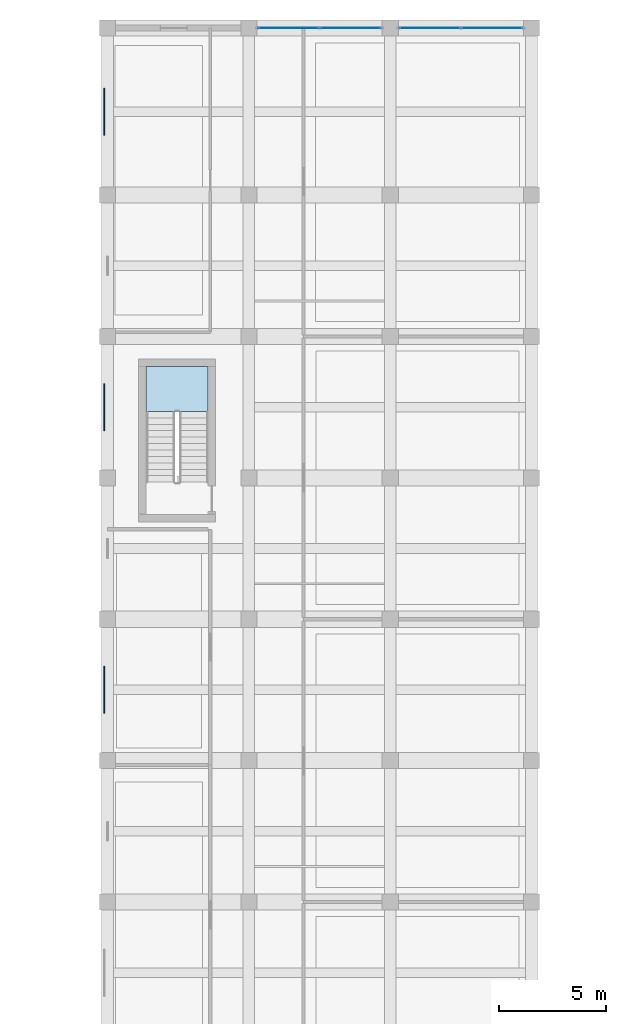
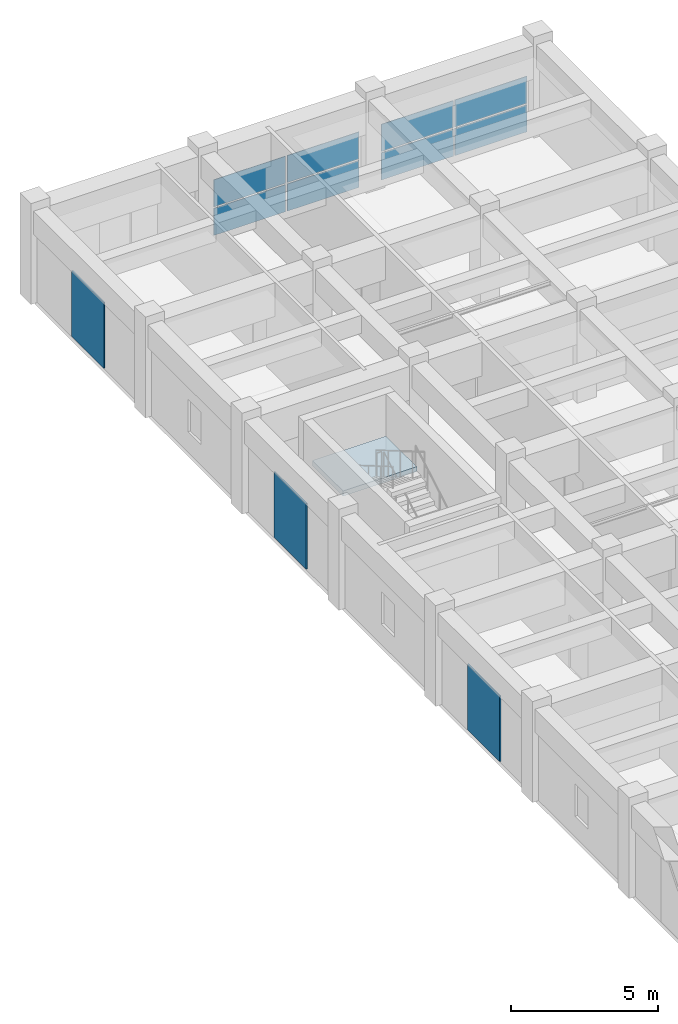
# One storey, part 107 of 148: 11 plates, 1 slab, 3 elements without a shape of their own.
"""IFC4 building model written with IfcOpenShell, lengths in metres."""

import ifcopenshell
import ifcopenshell.guid

model = None  # the IFC model being written
_history = None  # IfcOwnerHistory: only IFC2X3 demands one
_inside = {}  # id of a spatial element -> (the spatial element, [elements in it])
_under = {}  # id of a project, library or spatial element -> (it, [spatial elements below it])
_declared = {}  # id of a project -> (the project, [libraries it declares])
_typed = {}  # id of a type object -> (the type object, [elements of that type])
_made_of = {}  # id of a material, layer set ... -> (it, [elements and type objects made of it])


def new_model(schema):
    """Start an empty IFC model of exactly this schema.

    Asked for "IFC4X3", IfcOpenShell would pick the latest addendum, in which some entities
    have other attributes; the version numbers below select the first issue.
    IFC2X3 requires an IfcOwnerHistory on every rooted entity: one is made here for all.
    """
    global model, _history
    if schema == "IFC4X3":
        model = ifcopenshell.file(schema_version=(4, 3, 0, 0))
    else:
        model = ifcopenshell.file(schema=schema)
    _inside.clear()
    _under.clear()
    _declared.clear()
    _typed.clear()
    _made_of.clear()
    _history = None
    if model.schema == "IFC2X3":
        org = make("IfcOrganization", Name="unknown")
        user = make(
            "IfcPersonAndOrganization",
            ThePerson=make("IfcPerson", FamilyName="unknown"),
            TheOrganization=org,
        )
        app = make(
            "IfcApplication",
            ApplicationDeveloper=org,
            Version="unknown",
            ApplicationFullName="unknown",
            ApplicationIdentifier="unknown",
        )
        _history = make(
            "IfcOwnerHistory",
            OwningUser=user,
            OwningApplication=app,
            ChangeAction="ADDED",
            CreationDate=0,
        )
    return model


def make(cls, **values):
    """One entity of the class cls with the attributes given. An attribute that is None is left unset."""
    return model.create_entity(
        cls, **{name: value for name, value in values.items() if value is not None}
    )


def rooted(cls, **values):
    """An entity with a GlobalId (a new one), such as an element, a storey or a relation."""
    return make(cls, GlobalId=ifcopenshell.guid.new(), OwnerHistory=_history, **values)


def si_unit(unit_type, name, prefix=None):
    """IfcSIUnit, for example si_unit("LENGTHUNIT", "METRE", prefix="MILLI")."""
    return make("IfcSIUnit", UnitType=unit_type, Prefix=prefix, Name=name)


def assignment(units):
    """IfcUnitAssignment: the units of a project."""
    return None if units is None else make("IfcUnitAssignment", Units=units)


def point(xyz):
    """IfcCartesianPoint."""
    return None if xyz is None else make("IfcCartesianPoint", Coordinates=xyz)


def direction(xyz):
    """IfcDirection."""
    return None if xyz is None else make("IfcDirection", DirectionRatios=xyz)


def frame(location, z_axis=None, x_axis=None):
    """IfcAxis2Placement3D, a coordinate frame: its origin and axes. An axis left out is left unset."""
    return make(
        "IfcAxis2Placement3D",
        Location=point(location),
        Axis=direction(z_axis),
        RefDirection=direction(x_axis),
    )


def frame_2d(location, x_axis=None):
    """IfcAxis2Placement2D, a coordinate frame in the plane: its origin and x axis."""
    return make(
        "IfcAxis2Placement2D", Location=point(location), RefDirection=direction(x_axis)
    )


def origin():
    """The frame at (0, 0, 0) with its axes left unset."""
    return frame((0.0, 0.0, 0.0))


def origin_2d():
    """The frame at (0, 0) in the plane with its x axis left unset."""
    return frame_2d((0.0, 0.0))


def place(relative_to, where):
    """IfcLocalPlacement: puts the frame where relative to a parent placement (None: the world)."""
    return make(
        "IfcLocalPlacement", PlacementRelTo=relative_to, RelativePlacement=where
    )


def context(
    kind, dimensions, precision=None, world=None, true_north=None, identifier=None
):
    """IfcGeometricRepresentationContext, for example the 3D "Model" context."""
    return make(
        "IfcGeometricRepresentationContext",
        ContextIdentifier=identifier,
        ContextType=kind,
        CoordinateSpaceDimension=dimensions,
        Precision=precision,
        WorldCoordinateSystem=world,
        TrueNorth=true_north,
    )


def subcontext(parent, identifier, kind, view, scale=None):
    """IfcGeometricRepresentationSubContext, for example "Body" below "Model"."""
    return make(
        "IfcGeometricRepresentationSubContext",
        ContextIdentifier=identifier,
        ContextType=kind,
        ParentContext=parent,
        TargetScale=scale,
        TargetView=view,
    )


def project(units=None, contexts=None):
    """IfcProject with its units and contexts."""
    return rooted(
        "IfcProject",
        Name="project",
        RepresentationContexts=contexts,
        UnitsInContext=assignment(units),
    )


def spatial(cls, under=None, at=None, **own):
    """A site, building, storey or space (cls), placed at a placement, below another one or the project."""
    s = rooted(cls, ObjectPlacement=at, **own)
    if under is not None:
        _under.setdefault(under.id(), (under, []))[1].append(s)
    return s


def polyline(points):
    """IfcPolyline through the points."""
    return make("IfcPolyline", Points=[point(p) for p in points])


def profile(cls, at=None, kind="AREA", **sizes):
    """A parametric profile (cls). Its sizes go by their IFC names, for example OverallWidth=200.0."""
    return make(cls, ProfileType=kind, Position=at, **sizes)


def rectangle(**sizes):
    """IfcRectangleProfileDef."""
    return profile("IfcRectangleProfileDef", **sizes)


def outline(outer, holes=None, kind="AREA"):
    """IfcArbitraryClosedProfileDef: a profile drawn as a closed curve; with holes, ...WithVoids."""
    if holes is None:
        return make("IfcArbitraryClosedProfileDef", ProfileType=kind, OuterCurve=outer)
    return make(
        "IfcArbitraryProfileDefWithVoids",
        ProfileType=kind,
        OuterCurve=outer,
        InnerCurves=holes,
    )


def extrude(swept, where, along, depth):
    """IfcExtrudedAreaSolid: the profile swept, set in the frame where, extruded along a direction by depth."""
    return make(
        "IfcExtrudedAreaSolid",
        SweptArea=swept,
        Position=where,
        ExtrudedDirection=direction(along),
        Depth=depth,
    )


def shape(context_of_items, identifier, shape_type, items):
    """IfcShapeRepresentation: the items that make up one representation, for example the "Body"."""
    return make(
        "IfcShapeRepresentation",
        ContextOfItems=context_of_items,
        RepresentationIdentifier=identifier,
        RepresentationType=shape_type,
        Items=items,
    )


def material(Name=None, Category=None):
    """IfcMaterial."""
    return make("IfcMaterial", Name=Name, Category=Category)


def layer(
    of_material, thickness, ventilated=None, Name=None, Category=None, Priority=None
):
    """IfcMaterialLayer: one layer of a wall or slab, of a material (None: an air gap)."""
    return make(
        "IfcMaterialLayer",
        Material=of_material,
        LayerThickness=thickness,
        IsVentilated=ventilated,
        Name=Name,
        Category=Category,
        Priority=Priority,
    )


def layer_set(layers, Name=None):
    """IfcMaterialLayerSet."""
    return make("IfcMaterialLayerSet", MaterialLayers=layers, LayerSetName=Name)


def made_of(thing, what):
    """Note that an element or type object is made of a material, layer set ...; save() writes the relation."""
    if what is not None:
        _made_of.setdefault(what.id(), (what, []))[1].append(thing)
    return thing


def type_object(cls, material=None, **own):
    """A type object (cls), such as IfcWallType, which elements share."""
    return made_of(rooted(cls, **own), material)


def element(
    cls,
    number,
    at=None,
    inside=None,
    cuts=None,
    type_object=None,
    material=None,
    context=None,
    identifier="Body",
    shape_type=None,
    held_by="IfcProductDefinitionShape",
    body=None,
    shapes=None,
    **own,
):
    """One element of the class cls, such as IfcWall. Its Tag is "e" and its number.

    at: its placement. inside: the storey or other place that contains it. cuts: it is an
    opening in that element (IfcRelVoidsElement). A single representation is given by context,
    identifier, shape_type and body (its items); several are given by shapes. held_by: the class
    of the entity that holds the representations. save() writes the other relations.
    """
    e = rooted(cls, Tag="e%d" % number, ObjectPlacement=at, **own)
    if body is not None:
        shapes = [shape(context, identifier, shape_type, body)]
    if shapes is not None:
        e.Representation = make(held_by, Representations=shapes)
    if inside is not None:
        _inside.setdefault(inside.id(), (inside, []))[1].append(e)
    if cuts is not None:
        rooted(
            "IfcRelVoidsElement", RelatingBuildingElement=cuts, RelatedOpeningElement=e
        )
    if type_object is not None:
        _typed.setdefault(type_object.id(), (type_object, []))[1].append(e)
    return made_of(e, material)


def aggregate(whole, parts):
    """IfcRelAggregates: a whole, such as a stair, and the parts it consists of."""
    return rooted("IfcRelAggregates", RelatingObject=whole, RelatedObjects=parts)


def save(model, path):
    """Write the relations noted so far, then the file.

    IfcRelAggregates (storeys below a building ...), IfcRelContainedInSpatialStructure (elements
    in a storey), IfcRelDefinesByType, IfcRelAssociatesMaterial and IfcRelDeclares: one each for
    every whole, place, type object, material and project.
    """
    for whole, parts in _under.values():
        aggregate(whole, parts)
    for where, things in _inside.values():
        rooted(
            "IfcRelContainedInSpatialStructure",
            RelatedElements=things,
            RelatingStructure=where,
        )
    for kind, things in _typed.values():
        rooted("IfcRelDefinesByType", RelatedObjects=things, RelatingType=kind)
    for what, things in _made_of.values():
        rooted("IfcRelAssociatesMaterial", RelatedObjects=things, RelatingMaterial=what)
    for by, libraries in _declared.values():
        rooted("IfcRelDeclares", RelatingContext=by, RelatedDefinitions=libraries)
    model.write(path)


model = new_model("IFC4")

# Units and contexts
model_context = context("Model", 3, precision=1e-05, world=origin(), true_north=direction((0.0, 1.0)))
body_context = subcontext(model_context, "Body", "Model", "MODEL_VIEW")
ifc_project = project(units=[si_unit("LENGTHUNIT", "METRE"), si_unit("AREAUNIT", "SQUARE_METRE"), si_unit("VOLUMEUNIT", "CUBIC_METRE"), si_unit("PLANEANGLEUNIT", "RADIAN"), si_unit("MASSUNIT", "GRAM", prefix="KILO")], contexts=[model_context])

# Site, building, storey
site_placement = place(None, origin())
site = spatial("IfcSite", under=ifc_project, at=site_placement, CompositionType="ELEMENT")
building_placement = place(site_placement, origin())
building = spatial("IfcBuilding", under=site, at=building_placement, Name="Karori Crest Natural Sciences Institute", CompositionType="ELEMENT")
storey_placement = place(building_placement, frame((0.0, 0.0, 4.89990234375)))
storey = spatial("IfcBuildingStorey", under=building, at=storey_placement, Name="L01", CompositionType="ELEMENT", Elevation=4.89990234375)

# Curtain wall, plates
ifc_material_1 = material(Name="Anodised architectural aluminium 6063-T6", Category="aluminium")
curtain_wall_type = type_object("IfcCurtainWallType", Name="CWT-19", PredefinedType="NOTDEFINED", material=ifc_material_1)
curtain_wall_1_placement = place(storey_placement, origin())
curtain_wall_1 = element("IfcCurtainWall", 1, at=curtain_wall_1_placement, inside=storey, type_object=curtain_wall_type, Name="Curtain wall CW-0288", PredefinedType="NOTDEFINED")
ifc_material_2 = material(Name="Double low-E laminated glass", Category="glass")
ifc_layer_1 = layer(ifc_material_2, 0.02392578125, Name="Double low-E laminated glass")
ifc_layer_set_1 = layer_set([ifc_layer_1], Name="Double low-E laminated glass")
plate_type_1 = type_object("IfcPlateType", Name="CWP-01", PredefinedType="CURTAIN_PANEL", material=ifc_layer_set_1)
plate_1_placement = place(storey_placement, frame((15.852783203125, 162.199951171875, 0.06005859375), z_axis=(0.0, 0.0, 1.0), x_axis=(1.0, 0.0, 0.0)))
plate_1 = element("IfcPlate", 2, at=plate_1_placement, type_object=plate_type_1, Name="CW-0288 panel 1.1", PredefinedType="CURTAIN_PANEL", context=body_context, shape_type="SweptSolid", body=[
    extrude(rectangle(XDim=2.82958984375, YDim=0.02392578125, at=origin_2d()), origin(), (0.0, 0.0, 1.0), 1.12744140625),
])
plate_2_placement = place(storey_placement, frame((15.852783203125, 162.199951171875, 1.24755859375), z_axis=(0.0, 0.0, 1.0), x_axis=(1.0, 0.0, 0.0)))
plate_2 = element("IfcPlate", 3, at=plate_2_placement, type_object=plate_type_1, Name="CW-0288 panel 1.2", PredefinedType="CURTAIN_PANEL", context=body_context, shape_type="SweptSolid", body=[
    extrude(rectangle(XDim=2.82958984375, YDim=0.02392578125, at=origin_2d()), origin(), (0.0, 0.0, 1.0), 1.12744140625),
])
plate_3_placement = place(storey_placement, frame((18.747314453125, 162.199951171875, 0.06005859375), z_axis=(0.0, 0.0, 1.0), x_axis=(1.0, 0.0, 0.0)))
plate_3 = element("IfcPlate", 4, at=plate_3_placement, type_object=plate_type_1, Name="CW-0288 panel 2.1", PredefinedType="CURTAIN_PANEL", context=body_context, shape_type="SweptSolid", body=[
    extrude(rectangle(XDim=2.82958984375, YDim=0.02392578125, at=origin_2d()), origin(), (0.0, 0.0, 1.0), 1.12744140625),
])
plate_4_placement = place(storey_placement, frame((18.747314453125, 162.199951171875, 1.24755859375), z_axis=(0.0, 0.0, 1.0), x_axis=(1.0, 0.0, 0.0)))
plate_4 = element("IfcPlate", 5, at=plate_4_placement, type_object=plate_type_1, Name="CW-0288 panel 2.2", PredefinedType="CURTAIN_PANEL", context=body_context, shape_type="SweptSolid", body=[
    extrude(rectangle(XDim=2.82958984375, YDim=0.02392578125, at=origin_2d()), origin(), (0.0, 0.0, 1.0), 1.12744140625),
])
aggregate(curtain_wall_1, [plate_1, plate_2, plate_3, plate_4])

curtain_wall_2_placement = place(storey_placement, origin())
curtain_wall_2 = element("IfcCurtainWall", 6, at=curtain_wall_2_placement, inside=storey, type_object=curtain_wall_type, Name="Curtain wall CW-0289", PredefinedType="NOTDEFINED")
plate_5_placement = place(storey_placement, frame((22.45263671875, 162.199951171875, 0.06005859375), z_axis=(0.0, 0.0, 1.0), x_axis=(1.0, 0.0, 0.0)))
plate_5 = element("IfcPlate", 7, at=plate_5_placement, type_object=plate_type_1, Name="CW-0289 panel 1.1", PredefinedType="CURTAIN_PANEL", context=body_context, shape_type="SweptSolid", body=[
    extrude(rectangle(XDim=2.82958984375, YDim=0.02392578125, at=origin_2d()), origin(), (0.0, 0.0, 1.0), 1.12744140625),
])
plate_6_placement = place(storey_placement, frame((22.45263671875, 162.199951171875, 1.24755859375), z_axis=(0.0, 0.0, 1.0), x_axis=(1.0, 0.0, 0.0)))
plate_6 = element("IfcPlate", 8, at=plate_6_placement, type_object=plate_type_1, Name="CW-0289 panel 1.2", PredefinedType="CURTAIN_PANEL", context=body_context, shape_type="SweptSolid", body=[
    extrude(rectangle(XDim=2.82958984375, YDim=0.02392578125, at=origin_2d()), origin(), (0.0, 0.0, 1.0), 1.12744140625),
])
plate_7_placement = place(storey_placement, frame((25.34716796875, 162.199951171875, 0.06005859375), z_axis=(0.0, 0.0, 1.0), x_axis=(1.0, 0.0, 0.0)))
plate_7 = element("IfcPlate", 9, at=plate_7_placement, type_object=plate_type_1, Name="CW-0289 panel 2.1", PredefinedType="CURTAIN_PANEL", context=body_context, shape_type="SweptSolid", body=[
    extrude(rectangle(XDim=2.82958984375, YDim=0.02392578125, at=origin_2d()), origin(), (0.0, 0.0, 1.0), 1.12744140625),
])
plate_8_placement = place(storey_placement, frame((25.34716796875, 162.199951171875, 1.24755859375), z_axis=(0.0, 0.0, 1.0), x_axis=(1.0, 0.0, 0.0)))
plate_8 = element("IfcPlate", 10, at=plate_8_placement, type_object=plate_type_1, Name="CW-0289 panel 2.2", PredefinedType="CURTAIN_PANEL", context=body_context, shape_type="SweptSolid", body=[
    extrude(rectangle(XDim=2.82958984375, YDim=0.02392578125, at=origin_2d()), origin(), (0.0, 0.0, 1.0), 1.12744140625),
])
aggregate(curtain_wall_2, [plate_5, plate_6, plate_7, plate_8])

# Plates
ifc_layer_2 = layer(ifc_material_1, 0.06396484375, Name="Anodised architectural aluminium 6063-T6")
ifc_layer_set_2 = layer_set([ifc_layer_2], Name="Anodised architectural aluminium 6063-T6")
plate_type_2 = type_object("IfcPlateType", Name="PLT-03", PredefinedType="SHEET", material=ifc_layer_set_2)
for number, where, z_axis, x_axis, name in (
    (11, (7.25, 131.300048828125, 0.0751953125), (0.0, 0.0, 1.0), (1.0, 0.0, 0.0), "Metabolist service chase cladding PL-0002"),
    (12, (7.25, 144.5, 0.0751953125), (0.0, 0.0, 1.0), (1.0, 0.0, 0.0), "Metabolist service chase cladding PL-0003"),
    (13, (7.25, 158.300048828125, 0.0751953125), (0.0, 0.0, 1.0), (1.0, 0.0, 0.0), "Metabolist service chase cladding PL-0004"),
):
    element("IfcPlate", number, at=place(storey_placement, frame(where, z_axis=z_axis, x_axis=x_axis)), inside=storey, type_object=plate_type_2, Name=name, PredefinedType="SHEET", context=body_context, shape_type="SweptSolid", body=[
        extrude(rectangle(XDim=0.052001953125, YDim=2.199951171875, at=origin_2d()), origin(), (0.0, 0.0, 1.0), 2.735107421875),
    ])

# Stair, slab
ifc_material_3 = material(Name="Concrete 40 MPa", Category="concrete")
stair_type = type_object("IfcStairType", Name="STT-01", PredefinedType="HALF_TURN_STAIR", material=ifc_material_3)
stair_placement = place(storey_placement, origin())
stair = element("IfcStair", 14, at=stair_placement, inside=storey, type_object=stair_type, Name="Protected stair ST-06-L01", PredefinedType="HALF_TURN_STAIR")
ifc_layer_3 = layer(ifc_material_3, 0.2099609375, Name="Concrete 40 MPa")
ifc_layer_set_3 = layer_set([ifc_layer_3], Name="Concrete 40 MPa")
slab_type = type_object("IfcSlabType", Name="SLT-11", PredefinedType="LANDING", material=ifc_layer_set_3)
slab_placement = place(storey_placement, frame((0.0, 0.0, 1.89013671875)))
slab = element("IfcSlab", 15, at=slab_placement, type_object=slab_type, Name="ST-06-L01 landing 1", PredefinedType="LANDING", context=body_context, shape_type="SweptSolid", body=[
    extrude(outline(polyline([(12.10009765625, 144.300048828125), (12.10009765625, 146.39990234375), (9.199951171875, 146.39990234375), (9.199951171875, 144.300048828125), (12.10009765625, 144.300048828125)])), origin(), (0.0, 0.0, 1.0), 0.2099609375),
])
aggregate(stair, [slab])

save(model, "model.ifc")
